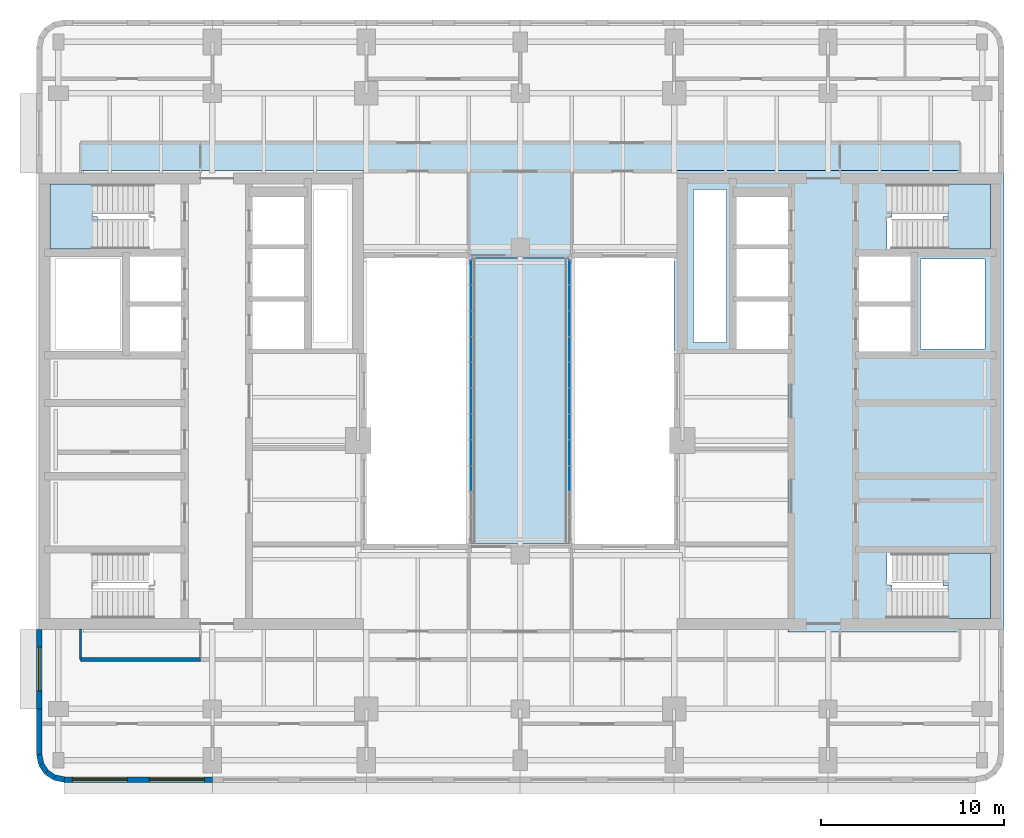
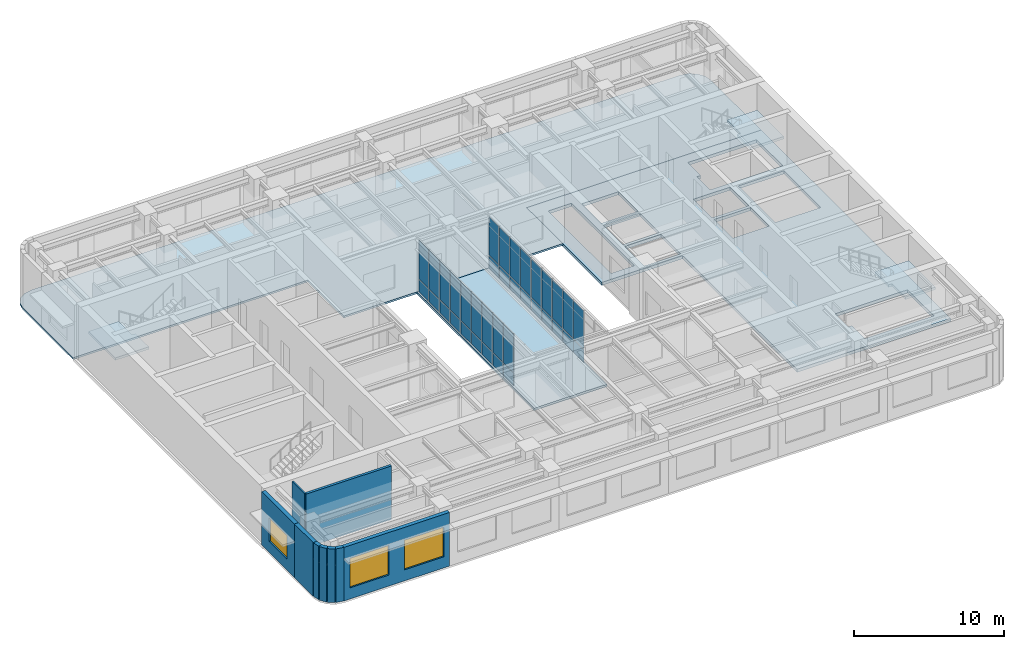
# One storey, part 5 of 14: 36 plates, 9 walls, 6 slabs, 3 windows, 3 openings, 5 elements without a shape of their own.
"""IFC4 building model written with IfcOpenShell, lengths in metres."""

from ifc_helpers import new_model, si_unit, direction, frame, frame_2d, origin, origin_2d, place, context, subcontext, project, spatial, polyline, rectangle, outline, extrude, material, layer, layer_set, type_object, element, fill, aggregate, save


model = new_model("IFC4")

# Units and contexts
model_context = context("Model", 3, precision=1e-05, world=origin(), true_north=direction((0.0, 1.0)))
body_context = subcontext(model_context, "Body", "Model", "MODEL_VIEW")
ifc_project = project(units=[si_unit("LENGTHUNIT", "METRE"), si_unit("AREAUNIT", "SQUARE_METRE"), si_unit("VOLUMEUNIT", "CUBIC_METRE"), si_unit("PLANEANGLEUNIT", "RADIAN"), si_unit("MASSUNIT", "GRAM", prefix="KILO")], contexts=[model_context])

# Site, building, storey
site_placement = place(None, origin())
site = spatial("IfcSite", under=ifc_project, at=site_placement, CompositionType="ELEMENT")
building_placement = place(site_placement, origin())
building = spatial("IfcBuilding", under=site, at=building_placement, Name="Claustro Exchange Tower", CompositionType="ELEMENT")
storey_placement = place(building_placement, frame((0.0, 0.0, 250.199951171875)))
storey = spatial("IfcBuildingStorey", under=building, at=storey_placement, Name="L57", CompositionType="ELEMENT", Elevation=250.199951171875)

# Curtain wall, plates
ifc_material_1 = material(Name="Aluminium frame, clear double glazing", Category="aluminium")
curtain_wall_type = type_object("IfcCurtainWallType", Name="CW2 sky bridge curtain wall", PredefinedType="USERDEFINED", material=ifc_material_1)
curtain_wall_1_placement = place(storey_placement, origin())
curtain_wall_1 = element("IfcCurtainWall", 1, at=curtain_wall_1_placement, inside=storey, type_object=curtain_wall_type, Name="Curtain wall CW2 L57", ObjectType="STICK CURTAIN WALL", PredefinedType="USERDEFINED")
ifc_material_2 = material(Name="Clear double glazing", Category="glass")
ifc_layer_1 = layer(ifc_material_2, 0.028076171875)
ifc_layer_set_1 = layer_set([ifc_layer_1], Name="Clear double glazing")
plate_type = type_object("IfcPlateType", Name="CW2-P 28 glazed panel", PredefinedType="CURTAIN_PANEL", material=ifc_layer_set_1)
plate_1_placement = place(storey_placement, frame((22.5, 20.97265625, 0.06005859375), z_axis=(0.0, 0.0, 1.0), x_axis=(0.0, 1.0, 0.0)))
plate_1 = element("IfcPlate", 2, at=plate_1_placement, type_object=plate_type, Name="CW2 panel 3.1", PredefinedType="CURTAIN_PANEL", context=body_context, shape_type="SweptSolid", body=[
    extrude(rectangle(XDim=1.34912109375, YDim=0.028076171875, at=origin_2d()), origin(), (0.0, 0.0, 1.0), 1.010009765625),
])
plate_2_placement = place(storey_placement, frame((22.5, 20.97265625, 1.1298828125), z_axis=(0.0, 0.0, 1.0), x_axis=(0.0, 1.0, 0.0)))
plate_2 = element("IfcPlate", 3, at=plate_2_placement, type_object=plate_type, Name="CW2 panel 3.2", PredefinedType="CURTAIN_PANEL", context=body_context, shape_type="SweptSolid", body=[
    extrude(rectangle(XDim=1.34912109375, YDim=0.028076171875, at=origin_2d()), origin(), (0.0, 0.0, 1.0), 3.110107421875),
])
plate_3_placement = place(storey_placement, frame((22.5, 22.3818359375, 0.06005859375), z_axis=(0.0, 0.0, 1.0), x_axis=(0.0, 1.0, 0.0)))
plate_3 = element("IfcPlate", 4, at=plate_3_placement, type_object=plate_type, Name="CW2 panel 4.1", PredefinedType="CURTAIN_PANEL", context=body_context, shape_type="SweptSolid", body=[
    extrude(rectangle(XDim=1.34912109375, YDim=0.028076171875, at=origin_2d()), origin(), (0.0, 0.0, 1.0), 1.010009765625),
])
plate_4_placement = place(storey_placement, frame((22.5, 22.3818359375, 1.1298828125), z_axis=(0.0, 0.0, 1.0), x_axis=(0.0, 1.0, 0.0)))
plate_4 = element("IfcPlate", 5, at=plate_4_placement, type_object=plate_type, Name="CW2 panel 4.2", PredefinedType="CURTAIN_PANEL", context=body_context, shape_type="SweptSolid", body=[
    extrude(rectangle(XDim=1.34912109375, YDim=0.028076171875, at=origin_2d()), origin(), (0.0, 0.0, 1.0), 3.110107421875),
])
plate_5_placement = place(storey_placement, frame((22.5, 23.791015625, 0.06005859375), z_axis=(0.0, 0.0, 1.0), x_axis=(0.0, 1.0, 0.0)))
plate_5 = element("IfcPlate", 6, at=plate_5_placement, type_object=plate_type, Name="CW2 panel 5.1", PredefinedType="CURTAIN_PANEL", context=body_context, shape_type="SweptSolid", body=[
    extrude(rectangle(XDim=1.34912109375, YDim=0.028076171875, at=origin_2d()), origin(), (0.0, 0.0, 1.0), 1.010009765625),
])
plate_6_placement = place(storey_placement, frame((22.5, 23.791015625, 1.1298828125), z_axis=(0.0, 0.0, 1.0), x_axis=(0.0, 1.0, 0.0)))
plate_6 = element("IfcPlate", 7, at=plate_6_placement, type_object=plate_type, Name="CW2 panel 5.2", PredefinedType="CURTAIN_PANEL", context=body_context, shape_type="SweptSolid", body=[
    extrude(rectangle(XDim=1.34912109375, YDim=0.028076171875, at=origin_2d()), origin(), (0.0, 0.0, 1.0), 3.110107421875),
])
plate_7_placement = place(storey_placement, frame((22.5, 25.199951171875, 0.06005859375), z_axis=(0.0, 0.0, 1.0), x_axis=(0.0, 1.0, 0.0)))
plate_7 = element("IfcPlate", 8, at=plate_7_placement, type_object=plate_type, Name="CW2 panel 6.1", PredefinedType="CURTAIN_PANEL", context=body_context, shape_type="SweptSolid", body=[
    extrude(rectangle(XDim=1.34912109375, YDim=0.028076171875, at=origin_2d()), origin(), (0.0, 0.0, 1.0), 1.010009765625),
])
plate_8_placement = place(storey_placement, frame((22.5, 25.199951171875, 1.1298828125), z_axis=(0.0, 0.0, 1.0), x_axis=(0.0, 1.0, 0.0)))
plate_8 = element("IfcPlate", 9, at=plate_8_placement, type_object=plate_type, Name="CW2 panel 6.2", PredefinedType="CURTAIN_PANEL", context=body_context, shape_type="SweptSolid", body=[
    extrude(rectangle(XDim=1.34912109375, YDim=0.028076171875, at=origin_2d()), origin(), (0.0, 0.0, 1.0), 3.110107421875),
])
plate_9_placement = place(storey_placement, frame((22.5, 26.609130859375, 0.06005859375), z_axis=(0.0, 0.0, 1.0), x_axis=(0.0, 1.0, 0.0)))
plate_9 = element("IfcPlate", 10, at=plate_9_placement, type_object=plate_type, Name="CW2 panel 7.1", PredefinedType="CURTAIN_PANEL", context=body_context, shape_type="SweptSolid", body=[
    extrude(rectangle(XDim=1.34912109375, YDim=0.028076171875, at=origin_2d()), origin(), (0.0, 0.0, 1.0), 1.010009765625),
])
plate_10_placement = place(storey_placement, frame((22.5, 26.609130859375, 1.1298828125), z_axis=(0.0, 0.0, 1.0), x_axis=(0.0, 1.0, 0.0)))
plate_10 = element("IfcPlate", 11, at=plate_10_placement, type_object=plate_type, Name="CW2 panel 7.2", PredefinedType="CURTAIN_PANEL", context=body_context, shape_type="SweptSolid", body=[
    extrude(rectangle(XDim=1.34912109375, YDim=0.028076171875, at=origin_2d()), origin(), (0.0, 0.0, 1.0), 3.110107421875),
])
plate_11_placement = place(storey_placement, frame((22.5, 28.01806640625, 0.06005859375), z_axis=(0.0, 0.0, 1.0), x_axis=(0.0, 1.0, 0.0)))
plate_11 = element("IfcPlate", 12, at=plate_11_placement, type_object=plate_type, Name="CW2 panel 8.1", PredefinedType="CURTAIN_PANEL", context=body_context, shape_type="SweptSolid", body=[
    extrude(rectangle(XDim=1.34912109375, YDim=0.028076171875, at=origin_2d()), origin(), (0.0, 0.0, 1.0), 1.010009765625),
])
plate_12_placement = place(storey_placement, frame((22.5, 28.01806640625, 1.1298828125), z_axis=(0.0, 0.0, 1.0), x_axis=(0.0, 1.0, 0.0)))
plate_12 = element("IfcPlate", 13, at=plate_12_placement, type_object=plate_type, Name="CW2 panel 8.2", PredefinedType="CURTAIN_PANEL", context=body_context, shape_type="SweptSolid", body=[
    extrude(rectangle(XDim=1.34912109375, YDim=0.028076171875, at=origin_2d()), origin(), (0.0, 0.0, 1.0), 3.110107421875),
])
plate_13_placement = place(storey_placement, frame((22.5, 29.42724609375, 0.06005859375), z_axis=(0.0, 0.0, 1.0), x_axis=(0.0, 1.0, 0.0)))
plate_13 = element("IfcPlate", 14, at=plate_13_placement, type_object=plate_type, Name="CW2 panel 9.1", PredefinedType="CURTAIN_PANEL", context=body_context, shape_type="SweptSolid", body=[
    extrude(rectangle(XDim=1.34912109375, YDim=0.028076171875, at=origin_2d()), origin(), (0.0, 0.0, 1.0), 1.010009765625),
])
plate_14_placement = place(storey_placement, frame((22.5, 29.42724609375, 1.1298828125), z_axis=(0.0, 0.0, 1.0), x_axis=(0.0, 1.0, 0.0)))
plate_14 = element("IfcPlate", 15, at=plate_14_placement, type_object=plate_type, Name="CW2 panel 9.2", PredefinedType="CURTAIN_PANEL", context=body_context, shape_type="SweptSolid", body=[
    extrude(rectangle(XDim=1.34912109375, YDim=0.028076171875, at=origin_2d()), origin(), (0.0, 0.0, 1.0), 3.110107421875),
])
plate_15_placement = place(storey_placement, frame((22.5, 30.83642578125, 0.06005859375), z_axis=(0.0, 0.0, 1.0), x_axis=(0.0, 1.0, 0.0)))
plate_15 = element("IfcPlate", 16, at=plate_15_placement, type_object=plate_type, Name="CW2 panel 10.1", PredefinedType="CURTAIN_PANEL", context=body_context, shape_type="SweptSolid", body=[
    extrude(rectangle(XDim=1.34912109375, YDim=0.028076171875, at=origin_2d()), origin(), (0.0, 0.0, 1.0), 1.010009765625),
])
plate_16_placement = place(storey_placement, frame((22.5, 30.83642578125, 1.1298828125), z_axis=(0.0, 0.0, 1.0), x_axis=(0.0, 1.0, 0.0)))
plate_16 = element("IfcPlate", 17, at=plate_16_placement, type_object=plate_type, Name="CW2 panel 10.2", PredefinedType="CURTAIN_PANEL", context=body_context, shape_type="SweptSolid", body=[
    extrude(rectangle(XDim=1.34912109375, YDim=0.028076171875, at=origin_2d()), origin(), (0.0, 0.0, 1.0), 3.110107421875),
])
plate_17_placement = place(storey_placement, frame((22.5, 32.23046875, 0.06005859375), z_axis=(0.0, 0.0, 1.0), x_axis=(0.0, 1.0, 0.0)))
plate_17 = element("IfcPlate", 18, at=plate_17_placement, type_object=plate_type, Name="CW2 panel 11.1", PredefinedType="CURTAIN_PANEL", context=body_context, shape_type="SweptSolid", body=[
    extrude(rectangle(XDim=1.319091796875, YDim=0.028076171875, at=origin_2d()), origin(), (0.0, 0.0, 1.0), 1.010009765625),
])
plate_18_placement = place(storey_placement, frame((22.5, 32.23046875, 1.1298828125), z_axis=(0.0, 0.0, 1.0), x_axis=(0.0, 1.0, 0.0)))
plate_18 = element("IfcPlate", 19, at=plate_18_placement, type_object=plate_type, Name="CW2 panel 11.2", PredefinedType="CURTAIN_PANEL", context=body_context, shape_type="SweptSolid", body=[
    extrude(rectangle(XDim=1.319091796875, YDim=0.028076171875, at=origin_2d()), origin(), (0.0, 0.0, 1.0), 3.110107421875),
])
aggregate(curtain_wall_1, [plate_1, plate_2, plate_3, plate_4, plate_5, plate_6, plate_7, plate_8, plate_9, plate_10, plate_11, plate_12, plate_13, plate_14, plate_15, plate_16, plate_17, plate_18])

curtain_wall_2_placement = place(storey_placement, origin())
curtain_wall_2 = element("IfcCurtainWall", 20, at=curtain_wall_2_placement, inside=storey, type_object=curtain_wall_type, Name="Curtain wall CW2 L57", ObjectType="STICK CURTAIN WALL", PredefinedType="USERDEFINED")
plate_19_placement = place(storey_placement, frame((27.89990234375, 20.97265625, 0.06005859375), z_axis=(0.0, 0.0, 1.0), x_axis=(0.0, 1.0, 0.0)))
plate_19 = element("IfcPlate", 21, at=plate_19_placement, type_object=plate_type, Name="CW2 panel 3.1", PredefinedType="CURTAIN_PANEL", context=body_context, shape_type="SweptSolid", body=[
    extrude(rectangle(XDim=1.34912109375, YDim=0.028076171875, at=origin_2d()), origin(), (0.0, 0.0, 1.0), 1.010009765625),
])
plate_20_placement = place(storey_placement, frame((27.89990234375, 20.97265625, 1.1298828125), z_axis=(0.0, 0.0, 1.0), x_axis=(0.0, 1.0, 0.0)))
plate_20 = element("IfcPlate", 22, at=plate_20_placement, type_object=plate_type, Name="CW2 panel 3.2", PredefinedType="CURTAIN_PANEL", context=body_context, shape_type="SweptSolid", body=[
    extrude(rectangle(XDim=1.34912109375, YDim=0.028076171875, at=origin_2d()), origin(), (0.0, 0.0, 1.0), 3.110107421875),
])
plate_21_placement = place(storey_placement, frame((27.89990234375, 22.3818359375, 0.06005859375), z_axis=(0.0, 0.0, 1.0), x_axis=(0.0, 1.0, 0.0)))
plate_21 = element("IfcPlate", 23, at=plate_21_placement, type_object=plate_type, Name="CW2 panel 4.1", PredefinedType="CURTAIN_PANEL", context=body_context, shape_type="SweptSolid", body=[
    extrude(rectangle(XDim=1.34912109375, YDim=0.028076171875, at=origin_2d()), origin(), (0.0, 0.0, 1.0), 1.010009765625),
])
plate_22_placement = place(storey_placement, frame((27.89990234375, 22.3818359375, 1.1298828125), z_axis=(0.0, 0.0, 1.0), x_axis=(0.0, 1.0, 0.0)))
plate_22 = element("IfcPlate", 24, at=plate_22_placement, type_object=plate_type, Name="CW2 panel 4.2", PredefinedType="CURTAIN_PANEL", context=body_context, shape_type="SweptSolid", body=[
    extrude(rectangle(XDim=1.34912109375, YDim=0.028076171875, at=origin_2d()), origin(), (0.0, 0.0, 1.0), 3.110107421875),
])
plate_23_placement = place(storey_placement, frame((27.89990234375, 23.791015625, 0.06005859375), z_axis=(0.0, 0.0, 1.0), x_axis=(0.0, 1.0, 0.0)))
plate_23 = element("IfcPlate", 25, at=plate_23_placement, type_object=plate_type, Name="CW2 panel 5.1", PredefinedType="CURTAIN_PANEL", context=body_context, shape_type="SweptSolid", body=[
    extrude(rectangle(XDim=1.34912109375, YDim=0.028076171875, at=origin_2d()), origin(), (0.0, 0.0, 1.0), 1.010009765625),
])
plate_24_placement = place(storey_placement, frame((27.89990234375, 23.791015625, 1.1298828125), z_axis=(0.0, 0.0, 1.0), x_axis=(0.0, 1.0, 0.0)))
plate_24 = element("IfcPlate", 26, at=plate_24_placement, type_object=plate_type, Name="CW2 panel 5.2", PredefinedType="CURTAIN_PANEL", context=body_context, shape_type="SweptSolid", body=[
    extrude(rectangle(XDim=1.34912109375, YDim=0.028076171875, at=origin_2d()), origin(), (0.0, 0.0, 1.0), 3.110107421875),
])
plate_25_placement = place(storey_placement, frame((27.89990234375, 25.199951171875, 0.06005859375), z_axis=(0.0, 0.0, 1.0), x_axis=(0.0, 1.0, 0.0)))
plate_25 = element("IfcPlate", 27, at=plate_25_placement, type_object=plate_type, Name="CW2 panel 6.1", PredefinedType="CURTAIN_PANEL", context=body_context, shape_type="SweptSolid", body=[
    extrude(rectangle(XDim=1.34912109375, YDim=0.028076171875, at=origin_2d()), origin(), (0.0, 0.0, 1.0), 1.010009765625),
])
plate_26_placement = place(storey_placement, frame((27.89990234375, 25.199951171875, 1.1298828125), z_axis=(0.0, 0.0, 1.0), x_axis=(0.0, 1.0, 0.0)))
plate_26 = element("IfcPlate", 28, at=plate_26_placement, type_object=plate_type, Name="CW2 panel 6.2", PredefinedType="CURTAIN_PANEL", context=body_context, shape_type="SweptSolid", body=[
    extrude(rectangle(XDim=1.34912109375, YDim=0.028076171875, at=origin_2d()), origin(), (0.0, 0.0, 1.0), 3.110107421875),
])
plate_27_placement = place(storey_placement, frame((27.89990234375, 26.609130859375, 0.06005859375), z_axis=(0.0, 0.0, 1.0), x_axis=(0.0, 1.0, 0.0)))
plate_27 = element("IfcPlate", 29, at=plate_27_placement, type_object=plate_type, Name="CW2 panel 7.1", PredefinedType="CURTAIN_PANEL", context=body_context, shape_type="SweptSolid", body=[
    extrude(rectangle(XDim=1.34912109375, YDim=0.028076171875, at=origin_2d()), origin(), (0.0, 0.0, 1.0), 1.010009765625),
])
plate_28_placement = place(storey_placement, frame((27.89990234375, 26.609130859375, 1.1298828125), z_axis=(0.0, 0.0, 1.0), x_axis=(0.0, 1.0, 0.0)))
plate_28 = element("IfcPlate", 30, at=plate_28_placement, type_object=plate_type, Name="CW2 panel 7.2", PredefinedType="CURTAIN_PANEL", context=body_context, shape_type="SweptSolid", body=[
    extrude(rectangle(XDim=1.34912109375, YDim=0.028076171875, at=origin_2d()), origin(), (0.0, 0.0, 1.0), 3.110107421875),
])
plate_29_placement = place(storey_placement, frame((27.89990234375, 28.01806640625, 0.06005859375), z_axis=(0.0, 0.0, 1.0), x_axis=(0.0, 1.0, 0.0)))
plate_29 = element("IfcPlate", 31, at=plate_29_placement, type_object=plate_type, Name="CW2 panel 8.1", PredefinedType="CURTAIN_PANEL", context=body_context, shape_type="SweptSolid", body=[
    extrude(rectangle(XDim=1.34912109375, YDim=0.028076171875, at=origin_2d()), origin(), (0.0, 0.0, 1.0), 1.010009765625),
])
plate_30_placement = place(storey_placement, frame((27.89990234375, 28.01806640625, 1.1298828125), z_axis=(0.0, 0.0, 1.0), x_axis=(0.0, 1.0, 0.0)))
plate_30 = element("IfcPlate", 32, at=plate_30_placement, type_object=plate_type, Name="CW2 panel 8.2", PredefinedType="CURTAIN_PANEL", context=body_context, shape_type="SweptSolid", body=[
    extrude(rectangle(XDim=1.34912109375, YDim=0.028076171875, at=origin_2d()), origin(), (0.0, 0.0, 1.0), 3.110107421875),
])
plate_31_placement = place(storey_placement, frame((27.89990234375, 29.42724609375, 0.06005859375), z_axis=(0.0, 0.0, 1.0), x_axis=(0.0, 1.0, 0.0)))
plate_31 = element("IfcPlate", 33, at=plate_31_placement, type_object=plate_type, Name="CW2 panel 9.1", PredefinedType="CURTAIN_PANEL", context=body_context, shape_type="SweptSolid", body=[
    extrude(rectangle(XDim=1.34912109375, YDim=0.028076171875, at=origin_2d()), origin(), (0.0, 0.0, 1.0), 1.010009765625),
])
plate_32_placement = place(storey_placement, frame((27.89990234375, 29.42724609375, 1.1298828125), z_axis=(0.0, 0.0, 1.0), x_axis=(0.0, 1.0, 0.0)))
plate_32 = element("IfcPlate", 34, at=plate_32_placement, type_object=plate_type, Name="CW2 panel 9.2", PredefinedType="CURTAIN_PANEL", context=body_context, shape_type="SweptSolid", body=[
    extrude(rectangle(XDim=1.34912109375, YDim=0.028076171875, at=origin_2d()), origin(), (0.0, 0.0, 1.0), 3.110107421875),
])
plate_33_placement = place(storey_placement, frame((27.89990234375, 30.83642578125, 0.06005859375), z_axis=(0.0, 0.0, 1.0), x_axis=(0.0, 1.0, 0.0)))
plate_33 = element("IfcPlate", 35, at=plate_33_placement, type_object=plate_type, Name="CW2 panel 10.1", PredefinedType="CURTAIN_PANEL", context=body_context, shape_type="SweptSolid", body=[
    extrude(rectangle(XDim=1.34912109375, YDim=0.028076171875, at=origin_2d()), origin(), (0.0, 0.0, 1.0), 1.010009765625),
])
plate_34_placement = place(storey_placement, frame((27.89990234375, 30.83642578125, 1.1298828125), z_axis=(0.0, 0.0, 1.0), x_axis=(0.0, 1.0, 0.0)))
plate_34 = element("IfcPlate", 36, at=plate_34_placement, type_object=plate_type, Name="CW2 panel 10.2", PredefinedType="CURTAIN_PANEL", context=body_context, shape_type="SweptSolid", body=[
    extrude(rectangle(XDim=1.34912109375, YDim=0.028076171875, at=origin_2d()), origin(), (0.0, 0.0, 1.0), 3.110107421875),
])
plate_35_placement = place(storey_placement, frame((27.89990234375, 32.23046875, 0.06005859375), z_axis=(0.0, 0.0, 1.0), x_axis=(0.0, 1.0, 0.0)))
plate_35 = element("IfcPlate", 37, at=plate_35_placement, type_object=plate_type, Name="CW2 panel 11.1", PredefinedType="CURTAIN_PANEL", context=body_context, shape_type="SweptSolid", body=[
    extrude(rectangle(XDim=1.319091796875, YDim=0.028076171875, at=origin_2d()), origin(), (0.0, 0.0, 1.0), 1.010009765625),
])
plate_36_placement = place(storey_placement, frame((27.89990234375, 32.23046875, 1.1298828125), z_axis=(0.0, 0.0, 1.0), x_axis=(0.0, 1.0, 0.0)))
plate_36 = element("IfcPlate", 38, at=plate_36_placement, type_object=plate_type, Name="CW2 panel 11.2", PredefinedType="CURTAIN_PANEL", context=body_context, shape_type="SweptSolid", body=[
    extrude(rectangle(XDim=1.319091796875, YDim=0.028076171875, at=origin_2d()), origin(), (0.0, 0.0, 1.0), 3.110107421875),
])
aggregate(curtain_wall_2, [plate_19, plate_20, plate_21, plate_22, plate_23, plate_24, plate_25, plate_26, plate_27, plate_28, plate_29, plate_30, plate_31, plate_32, plate_33, plate_34, plate_35, plate_36])

# Slabs
ifc_material_3 = material(Name="Concrete HA-50 (C50/60)", Category="concrete")
ifc_layer_2 = layer(ifc_material_3, 0.179931640625)
ifc_layer_set_2 = layer_set([ifc_layer_2], Name="Concrete HA-50 (C50/60)")
slab_type_1 = type_object("IfcSlabType", Name="S11 180 sky bridge composite slab", PredefinedType="FLOOR", material=ifc_layer_set_2)
slab_1_placement = place(storey_placement, frame((0.0, 0.0, -0.179931640625)))
element("IfcSlab", 39, at=slab_1_placement, inside=storey, type_object=slab_type_1, Name="Sky bridge floor slab S11 L57", PredefinedType="FLOOR", context=body_context, shape_type="SweptSolid", body=[
    extrude(outline(polyline([(28.0, 17.39990234375), (28.0, 33.0), (22.39990234375, 33.0), (22.39990234375, 17.39990234375), (28.0, 17.39990234375)])), origin(), (0.0, 0.0, 1.0), 0.179931640625),
])
ifc_material_4 = material(Name="Concrete HA-50 (C50/60)", Category="concrete")
ifc_layer_3 = layer(ifc_material_4, 0.14990234375)
ifc_layer_set_3 = layer_set([ifc_layer_3], Name="Concrete HA-50 (C50/60)")
slab_type_2 = type_object("IfcSlabType", Name="S2 150 composite floor slab", PredefinedType="FLOOR", material=ifc_layer_set_3)
slab_2_placement = place(storey_placement, frame((0.0, 0.0, -0.14990234375)))
element("IfcSlab", 40, at=slab_2_placement, inside=storey, type_object=slab_type_2, Name="Floor slab S2 N L57", PredefinedType="FLOOR", context=body_context, shape_type="SweptSolid", body=[
    extrude(outline(polyline([(16.800048828125, 37.800048828125), (16.800048828125, 33.0), (33.60009765625, 33.0), (33.60009765625, 37.800048828125), (51.60009765625, 37.800048828125), (51.60009765625, 44.5), (51.48583984375, 45.073974609375), (51.16064453125, 45.560791015625), (50.674072265625, 45.8857421875), (50.10009765625, 46.0), (0.300048828125, 46.0), (-0.27392578125, 45.8857421875), (-0.7607421875, 45.560791015625), (-1.085693359375, 45.073974609375), (-1.199951171875, 44.5), (-1.199951171875, 37.800048828125), (16.800048828125, 37.800048828125)])), origin(), (0.0, 0.0, 1.0), 0.14990234375),
])
ifc_material_5 = material(Name="Concrete HA-50 (C50/60)", Category="concrete")
ifc_layer_4 = layer(ifc_material_5, 0.25)
ifc_layer_set_4 = layer_set([ifc_layer_4], Name="Concrete HA-50 (C50/60)")
slab_type_3 = type_object("IfcSlabType", Name="S7 250 core floor slab", PredefinedType="FLOOR", material=ifc_layer_set_4)
slab_3_placement = place(storey_placement, frame((0.0, 0.0, -0.25)))
element("IfcSlab", 41, at=slab_3_placement, inside=storey, type_object=slab_type_3, Name="Core floor slab S7 E core L57", PredefinedType="FLOOR", context=body_context, shape_type="SweptSolid", body=[
    extrude(outline(polyline([(51.60009765625, 37.800048828125), (33.60009765625, 37.800048828125), (33.60009765625, 27.800048828125), (39.800048828125, 27.800048828125), (39.800048828125, 12.60009765625), (51.60009765625, 12.60009765625), (51.60009765625, 37.800048828125)]), holes=[polyline([(45.47998046875, 15.16259765625), (45.205078125, 15.16259765625), (45.205078125, 16.89990234375), (50.77490234375, 16.89990234375), (50.77490234375, 15.16259765625), (50.77490234375, 13.425048828125), (45.47998046875, 13.425048828125), (45.47998046875, 15.16259765625)]), polyline([(45.47998046875, 35.237548828125), (45.47998046875, 36.97509765625), (50.77490234375, 36.97509765625), (50.77490234375, 35.237548828125), (50.77490234375, 33.5), (45.205078125, 33.5), (45.205078125, 35.237548828125), (45.47998046875, 35.237548828125)]), polyline([(47.050048828125, 32.949951171875), (50.550048828125, 32.949951171875), (50.550048828125, 28.050048828125), (47.050048828125, 28.050048828125), (47.050048828125, 32.949951171875)]), polyline([(43.699951171875, 30.375), (46.5, 30.375), (46.5, 27.89990234375), (43.699951171875, 27.89990234375), (43.699951171875, 30.375)]), polyline([(43.699951171875, 33.10009765625), (46.5, 33.10009765625), (46.5, 30.625), (43.699951171875, 30.625), (43.699951171875, 33.10009765625)]), polyline([(37.0, 30.64990234375), (39.800048828125, 30.64990234375), (39.800048828125, 28.050048828125), (37.0, 28.050048828125), (37.0, 30.64990234375)]), polyline([(37.0, 33.5), (39.800048828125, 33.5), (39.800048828125, 30.89990234375), (37.0, 30.89990234375), (37.0, 33.5)]), polyline([(39.800048828125, 36.35009765625), (39.800048828125, 33.75), (37.0, 33.75), (37.0, 36.35009765625), (39.800048828125, 36.35009765625)]), polyline([(34.64990234375, 36.75), (36.449951171875, 36.75), (36.449951171875, 28.39990234375), (34.64990234375, 28.39990234375), (34.64990234375, 36.75)])]), origin(), (0.0, 0.0, 1.0), 0.25),
])

# Stair, slab
ifc_material_6 = material(Name="Concrete HA-30 (C30/37), precast", Category="concrete")
stair_type = type_object("IfcStairType", Name="ST2 half-turn stair, 25 risers of 180", PredefinedType="HALF_TURN_STAIR", material=ifc_material_6)
stair_1_placement = place(storey_placement, origin())
stair_1 = element("IfcStair", 42, at=stair_1_placement, inside=storey, type_object=stair_type, Name="Stair STWB L57", PredefinedType="HALF_TURN_STAIR")
ifc_material_7 = material(Name="Concrete HA-30 (C30/37), precast", Category="concrete")
ifc_layer_5 = layer(ifc_material_7, 0.199951171875)
ifc_layer_set_5 = layer_set([ifc_layer_5], Name="Concrete HA-30 (C30/37), precast")
slab_type_4 = type_object("IfcSlabType", Name="S9 200 stair landing", PredefinedType="LANDING", material=ifc_layer_set_5)
slab_4_placement = place(storey_placement, frame((0.0, 0.0, 2.14013671875)))
slab_4 = element("IfcSlab", 43, at=slab_4_placement, type_object=slab_type_4, Name="STWB landing 1", PredefinedType="LANDING", context=body_context, shape_type="SweptSolid", body=[
    extrude(outline(polyline([(2.1201171875, 35.27490234375), (2.1201171875, 33.5), (1.844970703125, 33.5), (1.840087890625, 33.5), (-0.449951171875, 33.5), (-0.449951171875, 37.050048828125), (1.844970703125, 37.050048828125), (1.844970703125, 35.27490234375), (2.1201171875, 35.27490234375)])), origin(), (0.0, 0.0, 1.0), 0.199951171875),
])
aggregate(stair_1, [slab_4])

stair_2_placement = place(storey_placement, origin())
stair_2 = element("IfcStair", 44, at=stair_2_placement, inside=storey, type_object=stair_type, Name="Stair STEA L57", PredefinedType="HALF_TURN_STAIR")
slab_5_placement = place(storey_placement, frame((0.0, 0.0, 2.14013671875)))
slab_5 = element("IfcSlab", 45, at=slab_5_placement, type_object=slab_type_4, Name="STEA landing 1", PredefinedType="LANDING", context=body_context, shape_type="SweptSolid", body=[
    extrude(outline(polyline([(50.85009765625, 16.89990234375), (50.85009765625, 13.35009765625), (48.554931640625, 13.35009765625), (48.554931640625, 15.125), (48.280029296875, 15.125), (48.280029296875, 16.89990234375), (48.554931640625, 16.89990234375), (48.56005859375, 16.89990234375), (50.85009765625, 16.89990234375)])), origin(), (0.0, 0.0, 1.0), 0.199951171875),
])
aggregate(stair_2, [slab_5])

stair_3_placement = place(storey_placement, origin())
stair_3 = element("IfcStair", 46, at=stair_3_placement, inside=storey, type_object=stair_type, Name="Stair STEB L57", PredefinedType="HALF_TURN_STAIR")
slab_6_placement = place(storey_placement, frame((0.0, 0.0, 2.14013671875)))
slab_6 = element("IfcSlab", 47, at=slab_6_placement, type_object=slab_type_4, Name="STEB landing 1", PredefinedType="LANDING", context=body_context, shape_type="SweptSolid", body=[
    extrude(outline(polyline([(48.280029296875, 33.5), (48.280029296875, 35.27490234375), (48.554931640625, 35.27490234375), (48.554931640625, 37.050048828125), (50.85009765625, 37.050048828125), (50.85009765625, 33.5), (48.56005859375, 33.5), (48.554931640625, 33.5), (48.280029296875, 33.5)])), origin(), (0.0, 0.0, 1.0), 0.199951171875),
])
aggregate(stair_3, [slab_6])

# Walls
ifc_material_8 = material(Name="Laminated glass in aluminium frame", Category="aluminium")
ifc_layer_6 = layer(ifc_material_8, 0.1201171875)
ifc_layer_set_6 = layer_set([ifc_layer_6], Name="Laminated glass in aluminium frame")
wall_type_1 = type_object("IfcWallType", Name="P2 120 glazed partition", PredefinedType="PARTITIONING", material=ifc_layer_set_6)
wall_1_placement = place(storey_placement, frame((1.199951171875, 11.10009765625, 0.0), z_axis=(0.0, 0.0, 1.0), x_axis=(0.0, 1.0, 0.0)))
element("IfcWall", 48, at=wall_1_placement, inside=storey, type_object=wall_type_1, Name="Partition P2 L57", PredefinedType="PARTITIONING", context=body_context, shape_type="SweptSolid", body=[
    extrude(rectangle(XDim=1.65185546875, YDim=0.1201171875, at=frame_2d((0.825927734375, 0.0))), origin(), (0.0, 0.0, 1.0), 4.35009765625),
])
ifc_material_9 = material(Name="Twin-skin gypsum board on steel studs, mineral wool", Category="steel")
ifc_layer_7 = layer(ifc_material_9, 0.199951171875)
ifc_layer_set_7 = layer_set([ifc_layer_7], Name="Twin-skin gypsum board on steel studs, mineral wool")
wall_type_2 = type_object("IfcWallType", Name="P3 200 acoustic partition", PredefinedType="PARTITIONING", material=ifc_layer_set_7)
wall_2_placement = place(storey_placement, frame((1.199951171875, 11.10009765625, 0.0), z_axis=(0.0, 0.0, 1.0), x_axis=(1.0, 0.0, 0.0)))
element("IfcWall", 49, at=wall_2_placement, inside=storey, type_object=wall_type_2, Name="Partition P3 L57", PredefinedType="PARTITIONING", context=body_context, shape_type="SweptSolid", body=[
    extrude(rectangle(XDim=6.552001953125, YDim=0.199951171875, at=frame_2d((3.27587890625, 0.0))), origin(), (0.0, 0.0, 1.0), 4.35009765625),
])

# Wall, openings, windows
ifc_material_10 = material(Name="Concrete HA-40 (C40/50), precast, white cement, acid-etched", Category="concrete")
ifc_layer_8 = layer(ifc_material_10, 0.300048828125)
ifc_layer_set_8 = layer_set([ifc_layer_8], Name="Concrete HA-40 (C40/50), precast, white cement, acid-etched")
wall_type_3 = type_object("IfcWallType", Name="PC1 300 precast concrete pier panel", PredefinedType="SOLIDWALL", material=ifc_layer_set_8)
wall_3_placement = place(storey_placement, frame((8.39990234375, 4.550048828125, 0.0), z_axis=(0.0, 0.0, 1.0), x_axis=(-1.0, 0.0, 0.0)))
wall_3 = element("IfcWall", 50, at=wall_3_placement, inside=storey, type_object=wall_type_3, Name="Precast pier panel PC1 L57", PredefinedType="SOLIDWALL", context=body_context, shape_type="SweptSolid", body=[
    extrude(rectangle(XDim=8.085205078125, YDim=0.300048828125, at=frame_2d((4.04248046875, 0.0))), origin(), (0.0, 0.0, 1.0), 4.35009765625),
])
opening_1_placement = place(wall_3_placement, frame((0.442626953125, 0.0, 0.89990234375)))
opening_1 = element("IfcOpeningElement", 51, at=opening_1_placement, cuts=wall_3, Name="Opening W3", PredefinedType="OPENING", context=body_context, shape_type="SweptSolid", body=[
    extrude(rectangle(XDim=3.0, YDim=2.39990234375, at=frame_2d((1.5, 1.199951171875))), frame((0.0, 0.159912109375, 0.0), z_axis=(0.0, -1.0, 0.0), x_axis=(1.0, 0.0, 0.0)), (0.0, 0.0, 1.0), 0.320068359375),
])
opening_2_placement = place(wall_3_placement, frame((4.642578125, 0.0, 0.89990234375)))
opening_2 = element("IfcOpeningElement", 52, at=opening_2_placement, cuts=wall_3, Name="Opening W3", PredefinedType="OPENING", context=body_context, shape_type="SweptSolid", body=[
    extrude(rectangle(XDim=3.0, YDim=2.39990234375, at=frame_2d((1.5, 1.199951171875))), frame((0.0, 0.159912109375, 0.0), z_axis=(0.0, -1.0, 0.0), x_axis=(1.0, 0.0, 0.0)), (0.0, 0.0, 1.0), 0.320068359375),
])
ifc_material_11 = material(Name="Aluminium frame, clear double glazing", Category="aluminium")
window_type_1 = type_object("IfcWindowType", Name="W3 3000 x 2400 window", PartitioningType="SINGLE_PANEL", PredefinedType="WINDOW", material=ifc_material_11)
window_1_placement = place(opening_1_placement, origin())
window_1 = element("IfcWindow", 53, at=window_1_placement, inside=storey, type_object=window_type_1, Name="Window W3 L57", OverallHeight=2.39990234375, OverallWidth=3.0, PartitioningType="SINGLE_PANEL", PredefinedType="WINDOW", context=body_context, shape_type="SweptSolid", body=[
    extrude(rectangle(XDim=3.0, YDim=2.39990234375, at=frame_2d((1.5, 1.199951171875))), frame((0.0, 0.030029296875, 0.0), z_axis=(0.0, -1.0, 0.0), x_axis=(1.0, 0.0, 0.0)), (0.0, 0.0, 1.0), 0.06005859375),
])
fill(opening_1, window_1)
window_2_placement = place(opening_2_placement, origin())
window_2 = element("IfcWindow", 54, at=window_2_placement, inside=storey, type_object=window_type_1, Name="Window W3 L57", OverallHeight=2.39990234375, OverallWidth=3.0, PartitioningType="SINGLE_PANEL", PredefinedType="WINDOW", context=body_context, shape_type="SweptSolid", body=[
    extrude(rectangle(XDim=3.0, YDim=2.39990234375, at=frame_2d((1.5, 1.199951171875))), frame((0.0, 0.030029296875, 0.0), z_axis=(0.0, -1.0, 0.0), x_axis=(1.0, 0.0, 0.0)), (0.0, 0.0, 1.0), 0.06005859375),
])
fill(opening_2, window_2)

# Walls
wall_4_placement = place(storey_placement, frame((0.314697265625, 4.550048828125, 0.0), z_axis=(0.0, 0.0, 1.0), x_axis=(-0.980788534345, 0.195073962632, 0.0)))
element("IfcWall", 55, at=wall_4_placement, inside=storey, type_object=wall_type_3, Name="Precast pier panel PC1 L57", PredefinedType="SOLIDWALL", context=body_context, shape_type="SweptSolid", body=[
    extrude(rectangle(XDim=0.540771484375, YDim=0.300048828125, at=frame_2d((0.2705078125, 0.0))), origin(), (0.0, 0.0, 1.0), 4.35009765625),
])
for number, where, z_axis, x_axis, name in (
    (56, (-0.215576171875, 4.655517578125, 0.0), (0.0, 0.0, 1.0), (-0.831478144188, 0.555557463938, 0.0), "Precast pier panel PC1 L57"),
    (57, (-0.652587890625, 4.947509765625, 0.0), (0.0, 0.0, 1.0), (-0.555557463938, 0.831478144188, 0.0), "Precast pier panel PC1 L57"),
):
    element("IfcWall", number, at=place(storey_placement, frame(where, z_axis=z_axis, x_axis=x_axis)), inside=storey, type_object=wall_type_3, Name=name, PredefinedType="SOLIDWALL", context=body_context, shape_type="SweptSolid", body=[
        extrude(rectangle(XDim=0.525634765625, YDim=0.300048828125, at=frame_2d((0.2626953125, 0.0))), origin(), (0.0, 0.0, 1.0), 4.35009765625),
    ])
wall_5_placement = place(storey_placement, frame((-0.944580078125, 5.384521484375, 0.0), z_axis=(0.0, 0.0, 1.0), x_axis=(-0.195073962632, 0.980788534345, 0.0)))
element("IfcWall", 58, at=wall_5_placement, inside=storey, type_object=wall_type_3, Name="Precast pier panel PC1 L57", PredefinedType="SOLIDWALL", context=body_context, shape_type="SweptSolid", body=[
    extrude(rectangle(XDim=0.540771484375, YDim=0.300048828125, at=frame_2d((0.2705078125, 0.0))), origin(), (0.0, 0.0, 1.0), 4.35009765625),
])
wall_6_placement = place(storey_placement, frame((-1.050048828125, 5.914794921875, 0.0), z_axis=(0.0, 0.0, 1.0), x_axis=(0.0, 1.0, 0.0)))
element("IfcWall", 59, at=wall_6_placement, inside=storey, type_object=wall_type_3, Name="Precast pier panel PC1 L57", PredefinedType="SOLIDWALL", context=body_context, shape_type="SweptSolid", body=[
    extrude(rectangle(XDim=2.485107421875, YDim=0.300048828125, at=frame_2d((1.24267578125, 0.0))), origin(), (0.0, 0.0, 1.0), 4.35009765625),
])

# Wall, opening, window
wall_7_placement = place(storey_placement, frame((-1.050048828125, 8.39990234375, 0.0), z_axis=(0.0, 0.0, 1.0), x_axis=(0.0, 1.0, 0.0)))
wall_7 = element("IfcWall", 60, at=wall_7_placement, inside=storey, type_object=wall_type_3, Name="Precast pier panel PC1 L57", PredefinedType="SOLIDWALL", context=body_context, shape_type="SweptSolid", body=[
    extrude(rectangle(XDim=4.35009765625, YDim=0.300048828125, at=frame_2d((2.175048828125, 0.0))), origin(), (0.0, 0.0, 1.0), 4.35009765625),
])
opening_3_placement = place(wall_7_placement, frame((0.97509765625, 0.0, 0.89990234375)))
opening_3 = element("IfcOpeningElement", 61, at=opening_3_placement, cuts=wall_7, Name="Opening W2", PredefinedType="OPENING", context=body_context, shape_type="SweptSolid", body=[
    extrude(rectangle(XDim=2.39990234375, YDim=1.89990234375, at=frame_2d((1.199951171875, 0.949951171875))), frame((0.0, 0.159912109375, 0.0), z_axis=(0.0, -1.0, 0.0), x_axis=(1.0, 0.0, 0.0)), (0.0, 0.0, 1.0), 0.320068359375),
])
ifc_material_12 = material(Name="Aluminium frame, clear double glazing", Category="aluminium")
window_type_2 = type_object("IfcWindowType", Name="W2 2400 x 1900 window", PartitioningType="SINGLE_PANEL", PredefinedType="WINDOW", material=ifc_material_12)
window_3_placement = place(opening_3_placement, origin())
window_3 = element("IfcWindow", 62, at=window_3_placement, inside=storey, type_object=window_type_2, Name="Window W2 L57", OverallHeight=1.89990234375, OverallWidth=2.39990234375, PartitioningType="SINGLE_PANEL", PredefinedType="WINDOW", context=body_context, shape_type="SweptSolid", body=[
    extrude(rectangle(XDim=2.39990234375, YDim=1.89990234375, at=frame_2d((1.199951171875, 0.949951171875))), frame((0.0, 0.030029296875, 0.0), z_axis=(0.0, -1.0, 0.0), x_axis=(1.0, 0.0, 0.0)), (0.0, 0.0, 1.0), 0.06005859375),
])
fill(opening_3, window_3)

save(model, "model.ifc")
